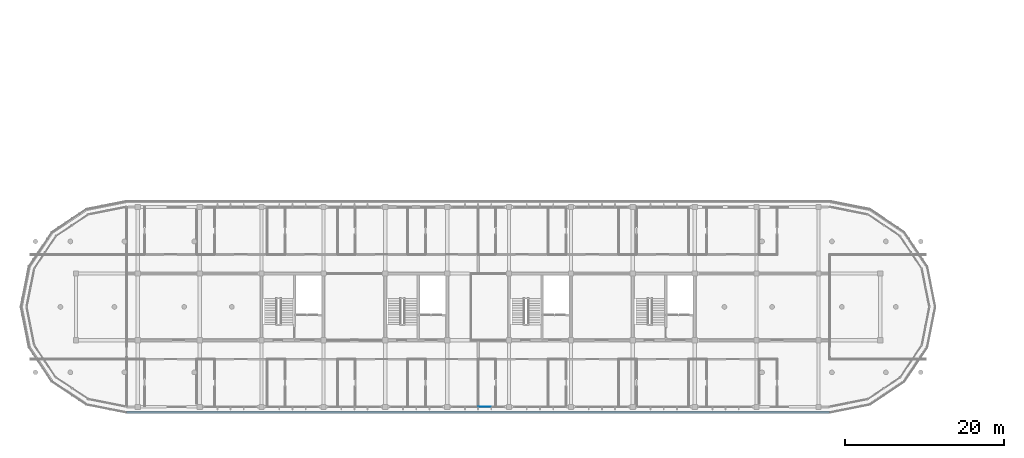
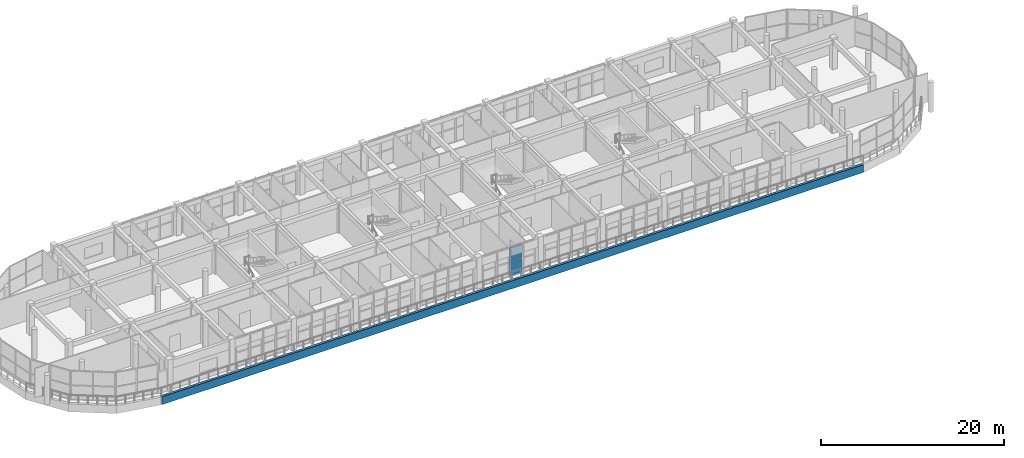
# One storey, part 40 of 57: 3 plates, 1 element without a shape of its own.
"""IFC4 building model written with IfcOpenShell, lengths in metres."""

import ifcopenshell
import ifcopenshell.guid

model = None  # the IFC model being written
_history = None  # IfcOwnerHistory: only IFC2X3 demands one
_inside = {}  # id of a spatial element -> (the spatial element, [elements in it])
_under = {}  # id of a project, library or spatial element -> (it, [spatial elements below it])
_declared = {}  # id of a project -> (the project, [libraries it declares])
_typed = {}  # id of a type object -> (the type object, [elements of that type])
_made_of = {}  # id of a material, layer set ... -> (it, [elements and type objects made of it])


def new_model(schema):
    """Start an empty IFC model of exactly this schema.

    Asked for "IFC4X3", IfcOpenShell would pick the latest addendum, in which some entities
    have other attributes; the version numbers below select the first issue.
    IFC2X3 requires an IfcOwnerHistory on every rooted entity: one is made here for all.
    """
    global model, _history
    if schema == "IFC4X3":
        model = ifcopenshell.file(schema_version=(4, 3, 0, 0))
    else:
        model = ifcopenshell.file(schema=schema)
    _inside.clear()
    _under.clear()
    _declared.clear()
    _typed.clear()
    _made_of.clear()
    _history = None
    if model.schema == "IFC2X3":
        org = make("IfcOrganization", Name="unknown")
        user = make(
            "IfcPersonAndOrganization",
            ThePerson=make("IfcPerson", FamilyName="unknown"),
            TheOrganization=org,
        )
        app = make(
            "IfcApplication",
            ApplicationDeveloper=org,
            Version="unknown",
            ApplicationFullName="unknown",
            ApplicationIdentifier="unknown",
        )
        _history = make(
            "IfcOwnerHistory",
            OwningUser=user,
            OwningApplication=app,
            ChangeAction="ADDED",
            CreationDate=0,
        )
    return model


def make(cls, **values):
    """One entity of the class cls with the attributes given. An attribute that is None is left unset."""
    return model.create_entity(
        cls, **{name: value for name, value in values.items() if value is not None}
    )


def rooted(cls, **values):
    """An entity with a GlobalId (a new one), such as an element, a storey or a relation."""
    return make(cls, GlobalId=ifcopenshell.guid.new(), OwnerHistory=_history, **values)


def si_unit(unit_type, name, prefix=None):
    """IfcSIUnit, for example si_unit("LENGTHUNIT", "METRE", prefix="MILLI")."""
    return make("IfcSIUnit", UnitType=unit_type, Prefix=prefix, Name=name)


def assignment(units):
    """IfcUnitAssignment: the units of a project."""
    return None if units is None else make("IfcUnitAssignment", Units=units)


def point(xyz):
    """IfcCartesianPoint."""
    return None if xyz is None else make("IfcCartesianPoint", Coordinates=xyz)


def direction(xyz):
    """IfcDirection."""
    return None if xyz is None else make("IfcDirection", DirectionRatios=xyz)


def frame(location, z_axis=None, x_axis=None):
    """IfcAxis2Placement3D, a coordinate frame: its origin and axes. An axis left out is left unset."""
    return make(
        "IfcAxis2Placement3D",
        Location=point(location),
        Axis=direction(z_axis),
        RefDirection=direction(x_axis),
    )


def frame_2d(location, x_axis=None):
    """IfcAxis2Placement2D, a coordinate frame in the plane: its origin and x axis."""
    return make(
        "IfcAxis2Placement2D", Location=point(location), RefDirection=direction(x_axis)
    )


def origin():
    """The frame at (0, 0, 0) with its axes left unset."""
    return frame((0.0, 0.0, 0.0))


def origin_2d():
    """The frame at (0, 0) in the plane with its x axis left unset."""
    return frame_2d((0.0, 0.0))


def place(relative_to, where):
    """IfcLocalPlacement: puts the frame where relative to a parent placement (None: the world)."""
    return make(
        "IfcLocalPlacement", PlacementRelTo=relative_to, RelativePlacement=where
    )


def context(
    kind, dimensions, precision=None, world=None, true_north=None, identifier=None
):
    """IfcGeometricRepresentationContext, for example the 3D "Model" context."""
    return make(
        "IfcGeometricRepresentationContext",
        ContextIdentifier=identifier,
        ContextType=kind,
        CoordinateSpaceDimension=dimensions,
        Precision=precision,
        WorldCoordinateSystem=world,
        TrueNorth=true_north,
    )


def subcontext(parent, identifier, kind, view, scale=None):
    """IfcGeometricRepresentationSubContext, for example "Body" below "Model"."""
    return make(
        "IfcGeometricRepresentationSubContext",
        ContextIdentifier=identifier,
        ContextType=kind,
        ParentContext=parent,
        TargetScale=scale,
        TargetView=view,
    )


def project(units=None, contexts=None):
    """IfcProject with its units and contexts."""
    return rooted(
        "IfcProject",
        Name="project",
        RepresentationContexts=contexts,
        UnitsInContext=assignment(units),
    )


def spatial(cls, under=None, at=None, **own):
    """A site, building, storey or space (cls), placed at a placement, below another one or the project."""
    s = rooted(cls, ObjectPlacement=at, **own)
    if under is not None:
        _under.setdefault(under.id(), (under, []))[1].append(s)
    return s


def polyline(points):
    """IfcPolyline through the points."""
    return make("IfcPolyline", Points=[point(p) for p in points])


def profile(cls, at=None, kind="AREA", **sizes):
    """A parametric profile (cls). Its sizes go by their IFC names, for example OverallWidth=200.0."""
    return make(cls, ProfileType=kind, Position=at, **sizes)


def rectangle(**sizes):
    """IfcRectangleProfileDef."""
    return profile("IfcRectangleProfileDef", **sizes)


def outline(outer, holes=None, kind="AREA"):
    """IfcArbitraryClosedProfileDef: a profile drawn as a closed curve; with holes, ...WithVoids."""
    if holes is None:
        return make("IfcArbitraryClosedProfileDef", ProfileType=kind, OuterCurve=outer)
    return make(
        "IfcArbitraryProfileDefWithVoids",
        ProfileType=kind,
        OuterCurve=outer,
        InnerCurves=holes,
    )


def extrude(swept, where, along, depth):
    """IfcExtrudedAreaSolid: the profile swept, set in the frame where, extruded along a direction by depth."""
    return make(
        "IfcExtrudedAreaSolid",
        SweptArea=swept,
        Position=where,
        ExtrudedDirection=direction(along),
        Depth=depth,
    )


def shape(context_of_items, identifier, shape_type, items):
    """IfcShapeRepresentation: the items that make up one representation, for example the "Body"."""
    return make(
        "IfcShapeRepresentation",
        ContextOfItems=context_of_items,
        RepresentationIdentifier=identifier,
        RepresentationType=shape_type,
        Items=items,
    )


def material(Name=None, Category=None):
    """IfcMaterial."""
    return make("IfcMaterial", Name=Name, Category=Category)


def layer(
    of_material, thickness, ventilated=None, Name=None, Category=None, Priority=None
):
    """IfcMaterialLayer: one layer of a wall or slab, of a material (None: an air gap)."""
    return make(
        "IfcMaterialLayer",
        Material=of_material,
        LayerThickness=thickness,
        IsVentilated=ventilated,
        Name=Name,
        Category=Category,
        Priority=Priority,
    )


def layer_set(layers, Name=None):
    """IfcMaterialLayerSet."""
    return make("IfcMaterialLayerSet", MaterialLayers=layers, LayerSetName=Name)


def made_of(thing, what):
    """Note that an element or type object is made of a material, layer set ...; save() writes the relation."""
    if what is not None:
        _made_of.setdefault(what.id(), (what, []))[1].append(thing)
    return thing


def type_object(cls, material=None, **own):
    """A type object (cls), such as IfcWallType, which elements share."""
    return made_of(rooted(cls, **own), material)


def element(
    cls,
    number,
    at=None,
    inside=None,
    cuts=None,
    type_object=None,
    material=None,
    context=None,
    identifier="Body",
    shape_type=None,
    held_by="IfcProductDefinitionShape",
    body=None,
    shapes=None,
    **own,
):
    """One element of the class cls, such as IfcWall. Its Tag is "e" and its number.

    at: its placement. inside: the storey or other place that contains it. cuts: it is an
    opening in that element (IfcRelVoidsElement). A single representation is given by context,
    identifier, shape_type and body (its items); several are given by shapes. held_by: the class
    of the entity that holds the representations. save() writes the other relations.
    """
    e = rooted(cls, Tag="e%d" % number, ObjectPlacement=at, **own)
    if body is not None:
        shapes = [shape(context, identifier, shape_type, body)]
    if shapes is not None:
        e.Representation = make(held_by, Representations=shapes)
    if inside is not None:
        _inside.setdefault(inside.id(), (inside, []))[1].append(e)
    if cuts is not None:
        rooted(
            "IfcRelVoidsElement", RelatingBuildingElement=cuts, RelatedOpeningElement=e
        )
    if type_object is not None:
        _typed.setdefault(type_object.id(), (type_object, []))[1].append(e)
    return made_of(e, material)


def aggregate(whole, parts):
    """IfcRelAggregates: a whole, such as a stair, and the parts it consists of."""
    return rooted("IfcRelAggregates", RelatingObject=whole, RelatedObjects=parts)


def save(model, path):
    """Write the relations noted so far, then the file.

    IfcRelAggregates (storeys below a building ...), IfcRelContainedInSpatialStructure (elements
    in a storey), IfcRelDefinesByType, IfcRelAssociatesMaterial and IfcRelDeclares: one each for
    every whole, place, type object, material and project.
    """
    for whole, parts in _under.values():
        aggregate(whole, parts)
    for where, things in _inside.values():
        rooted(
            "IfcRelContainedInSpatialStructure",
            RelatedElements=things,
            RelatingStructure=where,
        )
    for kind, things in _typed.values():
        rooted("IfcRelDefinesByType", RelatedObjects=things, RelatingType=kind)
    for what, things in _made_of.values():
        rooted("IfcRelAssociatesMaterial", RelatedObjects=things, RelatingMaterial=what)
    for by, libraries in _declared.values():
        rooted("IfcRelDeclares", RelatingContext=by, RelatedDefinitions=libraries)
    model.write(path)


model = new_model("IFC4")

# Units and contexts
model_context = context("Model", 3, precision=1e-05, world=origin(), true_north=direction((0.0, 1.0)))
body_context = subcontext(model_context, "Body", "Model", "MODEL_VIEW")
ifc_project = project(units=[si_unit("LENGTHUNIT", "METRE"), si_unit("AREAUNIT", "SQUARE_METRE"), si_unit("VOLUMEUNIT", "CUBIC_METRE"), si_unit("PLANEANGLEUNIT", "RADIAN"), si_unit("MASSUNIT", "GRAM", prefix="KILO")], contexts=[model_context])

# Site, building, storey
site_placement = place(None, origin())
site = spatial("IfcSite", under=ifc_project, at=site_placement, CompositionType="ELEMENT")
building_placement = place(site_placement, origin())
building = spatial("IfcBuilding", under=site, at=building_placement, Name="Zizhar Promenade General Hospital", CompositionType="ELEMENT")
storey_placement = place(building_placement, frame((0.0, 0.0, 22.199951171875)))
storey = spatial("IfcBuildingStorey", under=building, at=storey_placement, Name="L05", CompositionType="ELEMENT", Elevation=22.199951171875)

# Curtain wall, plates
ifc_material_1 = material(Name="Anodised aluminium 6063-T6 and low-E glass", Category="aluminium")
ifc_layer_1 = layer(ifc_material_1, 0.159912109375)
ifc_layer_set_1 = layer_set([ifc_layer_1], Name="Anodised aluminium 6063-T6 and low-E glass")
curtain_wall_type = type_object("IfcCurtainWallType", Name="CW-WARD-RIB", PredefinedType="NOTDEFINED", material=ifc_layer_set_1)
curtain_wall_placement = place(storey_placement, origin())
curtain_wall = element("IfcCurtainWall", 1, at=curtain_wall_placement, inside=storey, type_object=curtain_wall_type, Name="Ward Ribbon Curtain Wall L05-17-5", PredefinedType="NOTDEFINED")
ifc_material_2 = material(Name="Low-E solar-control glass", Category="glass")
ifc_layer_2 = layer(ifc_material_2, 0.031982421875)
ifc_layer_set_2 = layer_set([ifc_layer_2], Name="Low-E solar-control glass")
plate_type_1 = type_object("IfcPlateType", Name="CWP-GLZ-32", PredefinedType="CURTAIN_PANEL", material=ifc_layer_set_2)
plate_1_placement = place(storey_placement, frame((74.929931640625, 0.0, 0.06005859375), z_axis=(0.0, 0.0, 1.0), x_axis=(-1.0, 0.0, 0.0)))
plate_1 = element("IfcPlate", 2, at=plate_1_placement, type_object=plate_type_1, Name="CW-13 panel 2.1", PredefinedType="CURTAIN_PANEL", context=body_context, shape_type="SweptSolid", body=[
    extrude(rectangle(XDim=1.580078125, YDim=0.031982421875, at=origin_2d()), origin(), (0.0, 0.0, 1.0), 1.860107421875),
])
plate_2_placement = place(storey_placement, frame((74.929931640625, 0.0, 1.97998046875), z_axis=(0.0, 0.0, 1.0), x_axis=(-1.0, 0.0, 0.0)))
plate_2 = element("IfcPlate", 3, at=plate_2_placement, type_object=plate_type_1, Name="CW-13 panel 2.2", PredefinedType="CURTAIN_PANEL", context=body_context, shape_type="SweptSolid", body=[
    extrude(rectangle(XDim=1.580078125, YDim=0.031982421875, at=origin_2d()), origin(), (0.0, 0.0, 1.0), 1.860107421875),
])
aggregate(curtain_wall, [plate_1, plate_2])

# Plate
ifc_material_3 = material(Name="Precast concrete C40/50", Category="concrete")
ifc_layer_3 = layer(ifc_material_3, 0.300048828125)
ifc_layer_set_3 = layer_set([ifc_layer_3], Name="Precast concrete C40/50")
plate_type_2 = type_object("IfcPlateType", Name="PL-PC-BAND1100", PredefinedType="USERDEFINED", material=ifc_layer_set_3)
plate_3_placement = place(storey_placement, frame((0.0, 0.0, -1.050048828125)))
element("IfcPlate", 4, at=plate_3_placement, inside=storey, type_object=plate_type_2, Name="Ward Precast Slab Band L05-18", ObjectType="FASCIA_BAND", PredefinedType="USERDEFINED", context=body_context, shape_type="SweptSolid", body=[
    extrude(outline(polyline([(29.800048828125, -0.85009765625), (118.39990234375, -0.85009765625), (118.39990234375, -0.550048828125), (29.800048828125, -0.550048828125), (29.800048828125, -0.85009765625)])), origin(), (0.0, 0.0, 1.0), 1.050048828125),
])

save(model, "model.ifc")
